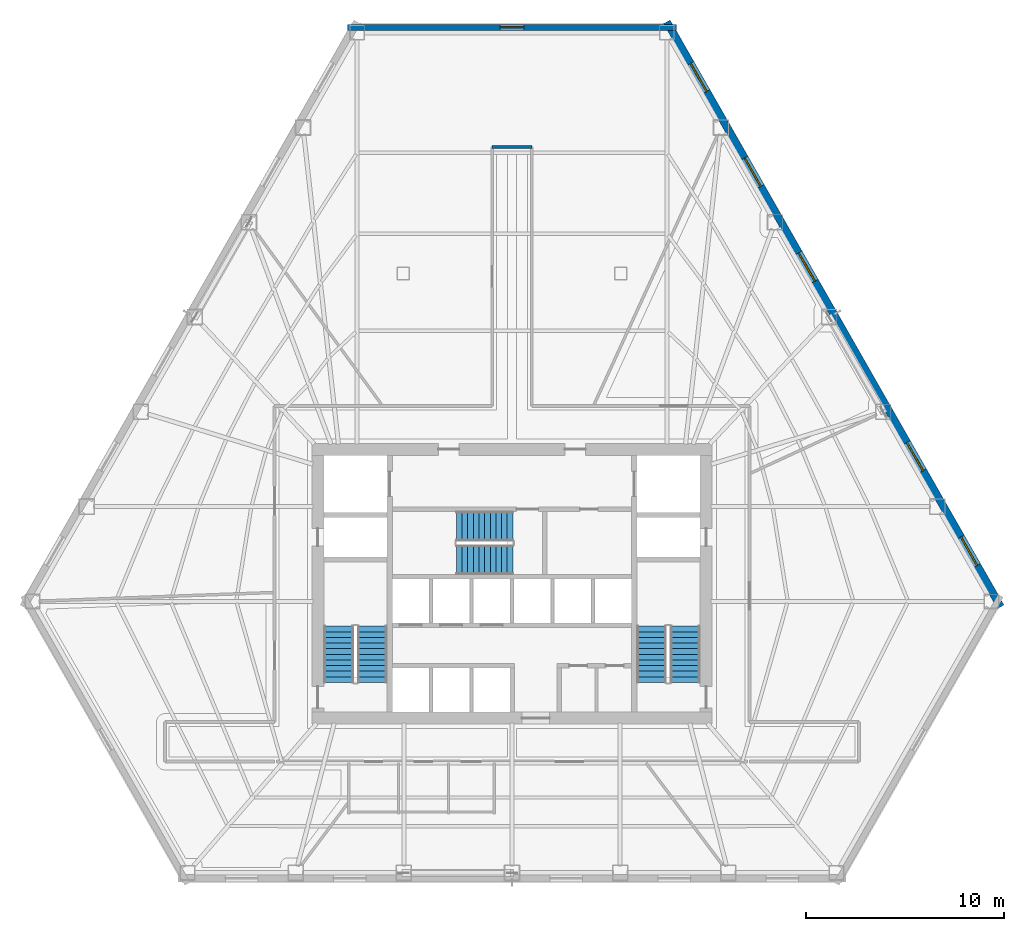
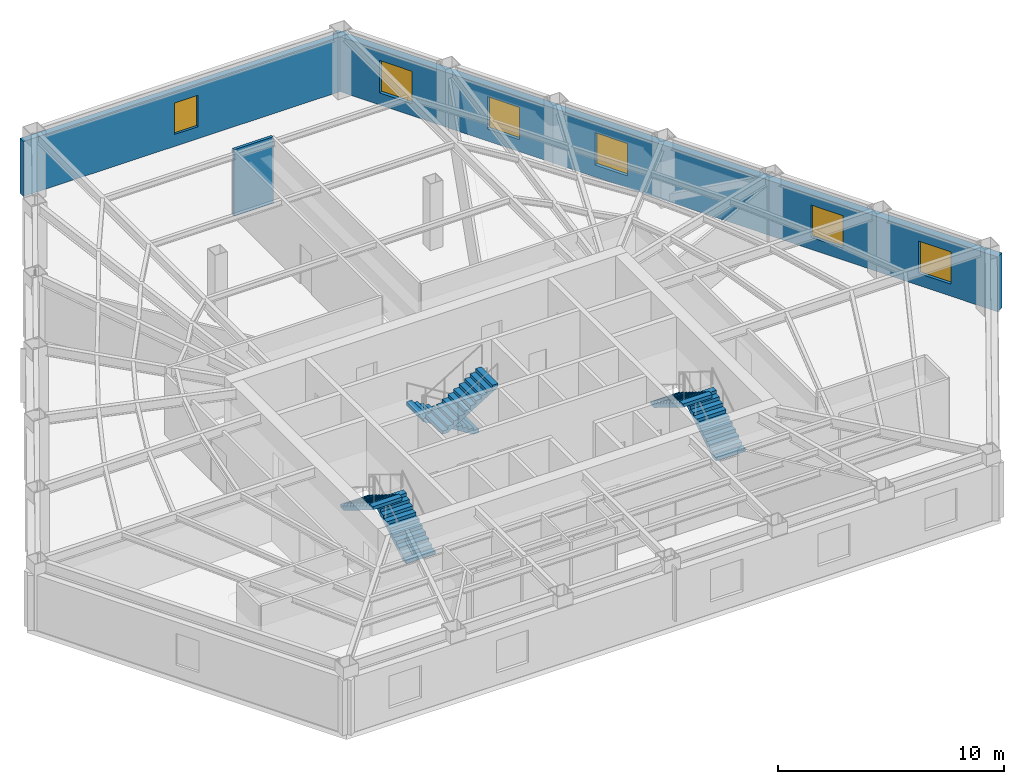
# One storey, part 8 of 11: 6 stair flights, 6 windows, 3 walls, 6 openings, 3 elements without a shape of their own.
"""IFC4 building model written with IfcOpenShell, lengths in metres."""

from ifc_helpers import new_model, si_unit, direction, frame, frame_2d, origin, place, context, subcontext, project, spatial, polyline, rectangle, outline, extrude, material, layer, layer_set, type_object, element, fill, aggregate, save


model = new_model("IFC4")

# Units and contexts
model_context = context("Model", 3, precision=1e-05, world=origin(), true_north=direction((0.0, 1.0)))
body_context = subcontext(model_context, "Body", "Model", "MODEL_VIEW")
ifc_project = project(units=[si_unit("LENGTHUNIT", "METRE"), si_unit("AREAUNIT", "SQUARE_METRE"), si_unit("VOLUMEUNIT", "CUBIC_METRE"), si_unit("PLANEANGLEUNIT", "RADIAN"), si_unit("MASSUNIT", "GRAM", prefix="KILO")], contexts=[model_context])

# Site, building, storey
site_placement = place(None, origin())
site = spatial("IfcSite", under=ifc_project, at=site_placement, CompositionType="ELEMENT")
building_placement = place(site_placement, origin())
building = spatial("IfcBuilding", under=site, at=building_placement, Name="Kavelnor Concourse Tower", CompositionType="ELEMENT")
storey_placement = place(building_placement, frame((0.0, 0.0, 25.25)))
storey = spatial("IfcBuildingStorey", under=building, at=storey_placement, Name="L06", CompositionType="ELEMENT", Elevation=25.25)

# Wall, opening, window
ifc_material_1 = material(Name="Buff ironspot clay face brick masonry", Category="masonry")
ifc_layer_1 = layer(ifc_material_1, 0.300048828125, Name="Buff ironspot clay face brick masonry")
ifc_layer_set_1 = layer_set([ifc_layer_1], Name="Buff ironspot clay face brick masonry")
wall_type_1 = type_object("IfcWallType", Name="WL-EXT-BUFF-BRICK-FOLD-300", PredefinedType="STANDARD", material=ifc_layer_set_1)
wall_1_placement = place(storey_placement, frame((29.681640625, 44.25732421875, 0.0), z_axis=(0.0, 0.0, 1.0), x_axis=(1.0, 0.0, 0.0)))
wall_1 = element("IfcWall", 1, at=wall_1_placement, inside=storey, type_object=wall_type_1, Name="L06 Exterior Brick Facade Wall E0", PredefinedType="STANDARD", context=body_context, shape_type="SweptSolid", body=[
    extrude(rectangle(XDim=16.63671875, YDim=0.300048828125, at=frame_2d((8.318359375, 0.0))), origin(), (0.0, 0.0, 1.0), 2.969970703125),
])
opening_1_placement = place(wall_1_placement, frame((7.718505859375, 0.0, 0.64990234375)))
opening_1 = element("IfcOpeningElement", 2, at=opening_1_placement, cuts=wall_1, Name="Opening W-05", PredefinedType="OPENING", context=body_context, shape_type="SweptSolid", body=[
    extrude(rectangle(XDim=1.199951171875, YDim=1.699951171875, at=frame_2d((0.60009765625, 0.85009765625))), frame((0.0, 0.16015625, 0.0), z_axis=(0.0, -1.0, 0.0), x_axis=(1.0, 0.0, 0.0)), (0.0, 0.0, 1.0), 0.320068359375),
])
ifc_material_2 = material(Name="Double low-E argon insulated glazing", Category="glass")
window_type_1 = type_object("IfcWindowType", Name="WIN-FOLD-1200", PartitioningType="SINGLE_PANEL", PredefinedType="WINDOW", material=ifc_material_2)
window_1_placement = place(opening_1_placement, origin())
window_1 = element("IfcWindow", 3, at=window_1_placement, inside=storey, type_object=window_type_1, Name="L06 Chamfer-Fold Facet Window C0", OverallHeight=1.699951171875, OverallWidth=1.199951171875, PartitioningType="SINGLE_PANEL", PredefinedType="WINDOW", context=body_context, shape_type="SweptSolid", body=[
    extrude(rectangle(XDim=1.199951171875, YDim=1.699951171875, at=frame_2d((0.60009765625, 0.85009765625))), frame((0.0, 0.030029296875, 0.0), z_axis=(0.0, -1.0, 0.0), x_axis=(1.0, 0.0, 0.0)), (0.0, 0.0, 1.0), 0.06005859375),
])
fill(opening_1, window_1)

# Wall, openings, windows
ifc_material_3 = material(Name="Red-ochre clay face brick masonry", Category="masonry")
ifc_layer_2 = layer(ifc_material_3, 0.3798828125, Name="Red-ochre clay face brick masonry")
ifc_layer_set_2 = layer_set([ifc_layer_2], Name="Red-ochre clay face brick masonry")
wall_type_2 = type_object("IfcWallType", Name="WL-EXT-RED-BRICK-PIER-380", PredefinedType="STANDARD", material=ifc_layer_set_2)
wall_2_placement = place(storey_placement, frame((45.8369140625, 44.537109375, 0.0), z_axis=(0.0, 0.0, 1.0), x_axis=(0.495711630902, -0.868487178367, 0.0)))
wall_2 = element("IfcWall", 4, at=wall_2_placement, inside=storey, type_object=wall_type_2, Name="L06 Exterior Brick Facade Wall E5", PredefinedType="STANDARD", context=body_context, shape_type="SweptSolid", body=[
    extrude(rectangle(XDim=34.09228515625, YDim=0.3798828125, at=frame_2d((17.046142578125, 0.0))), origin(), (0.0, 0.0, 1.0), 2.969970703125),
])
opening_2_placement = place(wall_2_placement, frame((30.031494140625, 0.0, 0.64990234375)))
opening_2 = element("IfcOpeningElement", 5, at=opening_2_placement, cuts=wall_2, Name="Opening W-01", PredefinedType="OPENING", context=body_context, shape_type="SweptSolid", body=[
    extrude(rectangle(XDim=1.64990234375, YDim=1.75, at=frame_2d((0.824951171875, 0.875))), frame((0.0, 0.199951171875, 0.0), z_axis=(0.0, -1.0, 0.0), x_axis=(1.0, 0.0, 0.0)), (0.0, 0.0, 1.0), 0.39990234375),
])
opening_3_placement = place(wall_2_placement, frame((24.50830078125, 0.0, 0.64990234375)))
opening_3 = element("IfcOpeningElement", 6, at=opening_3_placement, cuts=wall_2, Name="Opening W-01", PredefinedType="OPENING", context=body_context, shape_type="SweptSolid", body=[
    extrude(rectangle(XDim=1.64990234375, YDim=1.75, at=frame_2d((0.824951171875, 0.875))), frame((0.0, 0.199951171875, 0.0), z_axis=(0.0, -1.0, 0.0), x_axis=(1.0, 0.0, 0.0)), (0.0, 0.0, 1.0), 0.39990234375),
])
opening_4_placement = place(wall_2_placement, frame((13.4619140625, 0.0, 0.64990234375)))
opening_4 = element("IfcOpeningElement", 7, at=opening_4_placement, cuts=wall_2, Name="Opening W-01", PredefinedType="OPENING", context=body_context, shape_type="SweptSolid", body=[
    extrude(rectangle(XDim=1.64990234375, YDim=1.75, at=frame_2d((0.824951171875, 0.875))), frame((0.0, 0.199951171875, 0.0), z_axis=(0.0, -1.0, 0.0), x_axis=(1.0, 0.0, 0.0)), (0.0, 0.0, 1.0), 0.39990234375),
])
opening_5_placement = place(wall_2_placement, frame((7.938720703125, 0.0, 0.64990234375)))
opening_5 = element("IfcOpeningElement", 8, at=opening_5_placement, cuts=wall_2, Name="Opening W-01", PredefinedType="OPENING", context=body_context, shape_type="SweptSolid", body=[
    extrude(rectangle(XDim=1.64990234375, YDim=1.75, at=frame_2d((0.824951171875, 0.875))), frame((0.0, 0.199951171875, 0.0), z_axis=(0.0, -1.0, 0.0), x_axis=(1.0, 0.0, 0.0)), (0.0, 0.0, 1.0), 0.39990234375),
])
opening_6_placement = place(wall_2_placement, frame((2.415283203125, 0.0, 0.64990234375)))
opening_6 = element("IfcOpeningElement", 9, at=opening_6_placement, cuts=wall_2, Name="Opening W-01", PredefinedType="OPENING", context=body_context, shape_type="SweptSolid", body=[
    extrude(rectangle(XDim=1.64990234375, YDim=1.75, at=frame_2d((0.824951171875, 0.875))), frame((0.0, 0.199951171875, 0.0), z_axis=(0.0, -1.0, 0.0), x_axis=(1.0, 0.0, 0.0)), (0.0, 0.0, 1.0), 0.39990234375),
])
window_type_2 = type_object("IfcWindowType", Name="WIN-PIER-Z1-1800", PartitioningType="SINGLE_PANEL", PredefinedType="WINDOW", material=ifc_material_2)
window_2_placement = place(opening_2_placement, origin())
window_2 = element("IfcWindow", 10, at=window_2_placement, inside=storey, type_object=window_type_2, Name="L06 Deep-Set Brick Pier Window F2-B0", OverallHeight=1.75, OverallWidth=1.64990234375, PartitioningType="SINGLE_PANEL", PredefinedType="WINDOW", context=body_context, shape_type="SweptSolid", body=[
    extrude(rectangle(XDim=1.64990234375, YDim=1.75, at=frame_2d((0.824951171875, 0.875))), frame((0.0, 0.030029296875, 0.0), z_axis=(0.0, -1.0, 0.0), x_axis=(1.0, 0.0, 0.0)), (0.0, 0.0, 1.0), 0.06005859375),
])
fill(opening_2, window_2)
window_3_placement = place(opening_3_placement, origin())
window_3 = element("IfcWindow", 11, at=window_3_placement, inside=storey, type_object=window_type_2, Name="L06 Deep-Set Brick Pier Window F2-B1", OverallHeight=1.75, OverallWidth=1.64990234375, PartitioningType="SINGLE_PANEL", PredefinedType="WINDOW", context=body_context, shape_type="SweptSolid", body=[
    extrude(rectangle(XDim=1.64990234375, YDim=1.75, at=frame_2d((0.824951171875, 0.875))), frame((0.0, 0.030029296875, 0.0), z_axis=(0.0, -1.0, 0.0), x_axis=(1.0, 0.0, 0.0)), (0.0, 0.0, 1.0), 0.06005859375),
])
fill(opening_3, window_3)
window_4_placement = place(opening_4_placement, origin())
window_4 = element("IfcWindow", 12, at=window_4_placement, inside=storey, type_object=window_type_2, Name="L06 Deep-Set Brick Pier Window F2-B3", OverallHeight=1.75, OverallWidth=1.64990234375, PartitioningType="SINGLE_PANEL", PredefinedType="WINDOW", context=body_context, shape_type="SweptSolid", body=[
    extrude(rectangle(XDim=1.64990234375, YDim=1.75, at=frame_2d((0.824951171875, 0.875))), frame((0.0, 0.030029296875, 0.0), z_axis=(0.0, -1.0, 0.0), x_axis=(1.0, 0.0, 0.0)), (0.0, 0.0, 1.0), 0.06005859375),
])
fill(opening_4, window_4)
window_5_placement = place(opening_5_placement, origin())
window_5 = element("IfcWindow", 13, at=window_5_placement, inside=storey, type_object=window_type_2, Name="L06 Deep-Set Brick Pier Window F2-B4", OverallHeight=1.75, OverallWidth=1.64990234375, PartitioningType="SINGLE_PANEL", PredefinedType="WINDOW", context=body_context, shape_type="SweptSolid", body=[
    extrude(rectangle(XDim=1.64990234375, YDim=1.75, at=frame_2d((0.824951171875, 0.875))), frame((0.0, 0.030029296875, 0.0), z_axis=(0.0, -1.0, 0.0), x_axis=(1.0, 0.0, 0.0)), (0.0, 0.0, 1.0), 0.06005859375),
])
fill(opening_5, window_5)
window_6_placement = place(opening_6_placement, origin())
window_6 = element("IfcWindow", 14, at=window_6_placement, inside=storey, type_object=window_type_2, Name="L06 Deep-Set Brick Pier Window F2-B5", OverallHeight=1.75, OverallWidth=1.64990234375, PartitioningType="SINGLE_PANEL", PredefinedType="WINDOW", context=body_context, shape_type="SweptSolid", body=[
    extrude(rectangle(XDim=1.64990234375, YDim=1.75, at=frame_2d((0.824951171875, 0.875))), frame((0.0, 0.030029296875, 0.0), z_axis=(0.0, -1.0, 0.0), x_axis=(1.0, 0.0, 0.0)), (0.0, 0.0, 1.0), 0.06005859375),
])
fill(opening_6, window_6)

# Wall
ifc_material_4 = material(Name="Gypsum plasterboard on light-gauge steel studs", Category="steel")
ifc_layer_3 = layer(ifc_material_4, 0.14501953125, Name="Gypsum plasterboard on light-gauge steel studs")
ifc_layer_set_3 = layer_set([ifc_layer_3], Name="Gypsum plasterboard on light-gauge steel studs")
wall_type_3 = type_object("IfcWallType", Name="WL-INT-CORR-145", PredefinedType="PARTITIONING", material=ifc_layer_set_3)
wall_3_placement = place(storey_placement, frame((37.0, 38.199951171875, 0.0), z_axis=(0.0, 0.0, 1.0), x_axis=(1.0, 0.0, 0.0)))
element("IfcWall", 15, at=wall_3_placement, inside=storey, type_object=wall_type_3, Name="L06 Corridor Wall WL-L06-CR-05", PredefinedType="PARTITIONING", context=body_context, shape_type="SweptSolid", body=[
    extrude(rectangle(XDim=2.0, YDim=0.14501953125, at=frame_2d((1.0, 0.0))), origin(), (0.0, 0.0, 1.0), 3.590087890625),
])

# Stair, stair flights
ifc_material_5 = material(Name="Concrete C40/50", Category="concrete")
stair_type = type_object("IfcStairType", Name="STR-CORE-1500", PredefinedType="HALF_TURN_STAIR", material=ifc_material_5)
stair_1_placement = place(storey_placement, origin())
stair_1 = element("IfcStair", 16, at=stair_1_placement, inside=storey, type_object=stair_type, Name="L06 ST1", PredefinedType="HALF_TURN_STAIR")
stair_flight_type = type_object("IfcStairFlightType", Name="STR-FLIGHT-1500", PredefinedType="STRAIGHT", material=ifc_material_5)
stair_flight_1_placement = place(storey_placement, frame((30.929931640625, 11.10009765625, 0.0), z_axis=(0.0, 0.0, 1.0), x_axis=(0.0, 1.0, 0.0)))
stair_flight_1 = element("IfcStairFlight", 17, at=stair_flight_1_placement, type_object=stair_flight_type, Name="ST1 flight 1", NumberOfRisers=11, NumberOfTreads=10, PredefinedType="STRAIGHT", RiserHeight=0.175, TreadLength=0.285, context=body_context, shape_type="SweptSolid", body=[
    extrude(outline(polyline([(0.0, 0.0), (0.0, 0.175048828125), (0.284912109375, 0.175048828125), (0.284912109375, 0.35009765625), (0.570068359375, 0.35009765625), (0.570068359375, 0.52490234375), (0.85498046875, 0.52490234375), (0.85498046875, 0.699951171875), (1.139892578125, 0.699951171875), (1.139892578125, 0.875), (1.425048828125, 0.875), (1.425048828125, 1.050048828125), (1.7099609375, 1.050048828125), (1.7099609375, 1.22509765625), (1.9951171875, 1.22509765625), (1.9951171875, 1.39990234375), (2.280029296875, 1.39990234375), (2.280029296875, 1.574951171875), (2.56494140625, 1.574951171875), (2.56494140625, 1.75), (2.85009765625, 1.75), (2.85009765625, 1.925048828125), (2.85009765625, 1.573974609375), (0.286376953125, 0.0), (0.0, 0.0)])), frame((0.0, 0.75, 0.0), z_axis=(0.0, -1.0, 0.0), x_axis=(1.0, 0.0, 0.0)), (0.0, 0.0, 1.0), 1.5),
])
stair_flight_2_placement = place(storey_placement, frame((29.22998046875, 13.949951171875, 1.925048828125), z_axis=(0.0, 0.0, 1.0), x_axis=(0.0, -1.0, 0.0)))
stair_flight_2 = element("IfcStairFlight", 18, at=stair_flight_2_placement, type_object=stair_flight_type, Name="ST1 flight 2", NumberOfRisers=11, NumberOfTreads=10, PredefinedType="STRAIGHT", RiserHeight=0.175, TreadLength=0.285, context=body_context, shape_type="SweptSolid", body=[
    extrude(outline(polyline([(0.0, 0.0), (0.0, 0.175048828125), (0.284912109375, 0.175048828125), (0.284912109375, 0.35009765625), (0.570068359375, 0.35009765625), (0.570068359375, 0.52490234375), (0.85498046875, 0.52490234375), (0.85498046875, 0.699951171875), (1.139892578125, 0.699951171875), (1.139892578125, 0.875), (1.425048828125, 0.875), (1.425048828125, 1.050048828125), (1.7099609375, 1.050048828125), (1.7099609375, 1.22509765625), (1.9951171875, 1.22509765625), (1.9951171875, 1.39990234375), (2.280029296875, 1.39990234375), (2.280029296875, 1.574951171875), (2.56494140625, 1.574951171875), (2.56494140625, 1.75), (2.85009765625, 1.75), (2.85009765625, 1.925048828125), (2.85009765625, 1.573974609375), (0.286376953125, 0.0), (0.0, 0.0)])), frame((0.0, 0.75, 0.0), z_axis=(0.0, -1.0, 0.0), x_axis=(1.0, 0.0, 0.0)), (0.0, 0.0, 1.0), 1.5),
])
aggregate(stair_1, [stair_flight_1, stair_flight_2])

stair_2_placement = place(storey_placement, origin())
stair_2 = element("IfcStair", 19, at=stair_2_placement, inside=storey, type_object=stair_type, Name="L06 ST2", PredefinedType="HALF_TURN_STAIR")
stair_flight_3_placement = place(storey_placement, frame((46.77001953125, 11.10009765625, 0.0), z_axis=(0.0, 0.0, 1.0), x_axis=(0.0, 1.0, 0.0)))
stair_flight_3 = element("IfcStairFlight", 20, at=stair_flight_3_placement, type_object=stair_flight_type, Name="ST2 flight 1", NumberOfRisers=11, NumberOfTreads=10, PredefinedType="STRAIGHT", RiserHeight=0.175, TreadLength=0.285, context=body_context, shape_type="SweptSolid", body=[
    extrude(outline(polyline([(0.0, 0.0), (0.0, 0.175048828125), (0.284912109375, 0.175048828125), (0.284912109375, 0.35009765625), (0.570068359375, 0.35009765625), (0.570068359375, 0.52490234375), (0.85498046875, 0.52490234375), (0.85498046875, 0.699951171875), (1.139892578125, 0.699951171875), (1.139892578125, 0.875), (1.425048828125, 0.875), (1.425048828125, 1.050048828125), (1.7099609375, 1.050048828125), (1.7099609375, 1.22509765625), (1.9951171875, 1.22509765625), (1.9951171875, 1.39990234375), (2.280029296875, 1.39990234375), (2.280029296875, 1.574951171875), (2.56494140625, 1.574951171875), (2.56494140625, 1.75), (2.85009765625, 1.75), (2.85009765625, 1.925048828125), (2.85009765625, 1.573974609375), (0.286376953125, 0.0), (0.0, 0.0)])), frame((0.0, 0.75, 0.0), z_axis=(0.0, -1.0, 0.0), x_axis=(1.0, 0.0, 0.0)), (0.0, 0.0, 1.0), 1.5),
])
stair_flight_4_placement = place(storey_placement, frame((45.070068359375, 13.949951171875, 1.925048828125), z_axis=(0.0, 0.0, 1.0), x_axis=(0.0, -1.0, 0.0)))
stair_flight_4 = element("IfcStairFlight", 21, at=stair_flight_4_placement, type_object=stair_flight_type, Name="ST2 flight 2", NumberOfRisers=11, NumberOfTreads=10, PredefinedType="STRAIGHT", RiserHeight=0.175, TreadLength=0.285, context=body_context, shape_type="SweptSolid", body=[
    extrude(outline(polyline([(0.0, 0.0), (0.0, 0.175048828125), (0.284912109375, 0.175048828125), (0.284912109375, 0.35009765625), (0.570068359375, 0.35009765625), (0.570068359375, 0.52490234375), (0.85498046875, 0.52490234375), (0.85498046875, 0.699951171875), (1.139892578125, 0.699951171875), (1.139892578125, 0.875), (1.425048828125, 0.875), (1.425048828125, 1.050048828125), (1.7099609375, 1.050048828125), (1.7099609375, 1.22509765625), (1.9951171875, 1.22509765625), (1.9951171875, 1.39990234375), (2.280029296875, 1.39990234375), (2.280029296875, 1.574951171875), (2.56494140625, 1.574951171875), (2.56494140625, 1.75), (2.85009765625, 1.75), (2.85009765625, 1.925048828125), (2.85009765625, 1.573974609375), (0.286376953125, 0.0), (0.0, 0.0)])), frame((0.0, 0.75, 0.0), z_axis=(0.0, -1.0, 0.0), x_axis=(1.0, 0.0, 0.0)), (0.0, 0.0, 1.0), 1.5),
])
aggregate(stair_2, [stair_flight_3, stair_flight_4])

stair_3_placement = place(storey_placement, origin())
stair_3 = element("IfcStair", 22, at=stair_3_placement, inside=storey, type_object=stair_type, Name="L06 ST3", PredefinedType="HALF_TURN_STAIR")
stair_flight_5_placement = place(storey_placement, frame((38.0400390625, 19.010009765625, 0.0), z_axis=(0.0, 0.0, 1.0), x_axis=(-1.0, 0.0, 0.0)))
stair_flight_5 = element("IfcStairFlight", 23, at=stair_flight_5_placement, type_object=stair_flight_type, Name="ST3 flight 1", NumberOfRisers=11, NumberOfTreads=10, PredefinedType="STRAIGHT", RiserHeight=0.175, TreadLength=0.285, context=body_context, shape_type="SweptSolid", body=[
    extrude(outline(polyline([(0.0, 0.0), (0.0, 0.175048828125), (0.284912109375, 0.175048828125), (0.284912109375, 0.35009765625), (0.570068359375, 0.35009765625), (0.570068359375, 0.52490234375), (0.85498046875, 0.52490234375), (0.85498046875, 0.699951171875), (1.139892578125, 0.699951171875), (1.139892578125, 0.875), (1.425048828125, 0.875), (1.425048828125, 1.050048828125), (1.7099609375, 1.050048828125), (1.7099609375, 1.22509765625), (1.9951171875, 1.22509765625), (1.9951171875, 1.39990234375), (2.280029296875, 1.39990234375), (2.280029296875, 1.574951171875), (2.56494140625, 1.574951171875), (2.56494140625, 1.75), (2.85009765625, 1.75), (2.85009765625, 1.925048828125), (2.85009765625, 1.573974609375), (0.286376953125, 0.0), (0.0, 0.0)])), frame((0.0, 0.75, 0.0), z_axis=(0.0, -1.0, 0.0), x_axis=(1.0, 0.0, 0.0)), (0.0, 0.0, 1.0), 1.5),
])
stair_flight_6_placement = place(storey_placement, frame((35.18994140625, 17.31005859375, 1.925048828125), z_axis=(0.0, 0.0, 1.0), x_axis=(1.0, 0.0, 0.0)))
stair_flight_6 = element("IfcStairFlight", 24, at=stair_flight_6_placement, type_object=stair_flight_type, Name="ST3 flight 2", NumberOfRisers=11, NumberOfTreads=10, PredefinedType="STRAIGHT", RiserHeight=0.175, TreadLength=0.285, context=body_context, shape_type="SweptSolid", body=[
    extrude(outline(polyline([(0.0, 0.0), (0.0, 0.175048828125), (0.284912109375, 0.175048828125), (0.284912109375, 0.35009765625), (0.570068359375, 0.35009765625), (0.570068359375, 0.52490234375), (0.85498046875, 0.52490234375), (0.85498046875, 0.699951171875), (1.139892578125, 0.699951171875), (1.139892578125, 0.875), (1.425048828125, 0.875), (1.425048828125, 1.050048828125), (1.7099609375, 1.050048828125), (1.7099609375, 1.22509765625), (1.9951171875, 1.22509765625), (1.9951171875, 1.39990234375), (2.280029296875, 1.39990234375), (2.280029296875, 1.574951171875), (2.56494140625, 1.574951171875), (2.56494140625, 1.75), (2.85009765625, 1.75), (2.85009765625, 1.925048828125), (2.85009765625, 1.573974609375), (0.286376953125, 0.0), (0.0, 0.0)])), frame((0.0, 0.75, 0.0), z_axis=(0.0, -1.0, 0.0), x_axis=(1.0, 0.0, 0.0)), (0.0, 0.0, 1.0), 1.5),
])
aggregate(stair_3, [stair_flight_5, stair_flight_6])

save(model, "model.ifc")
